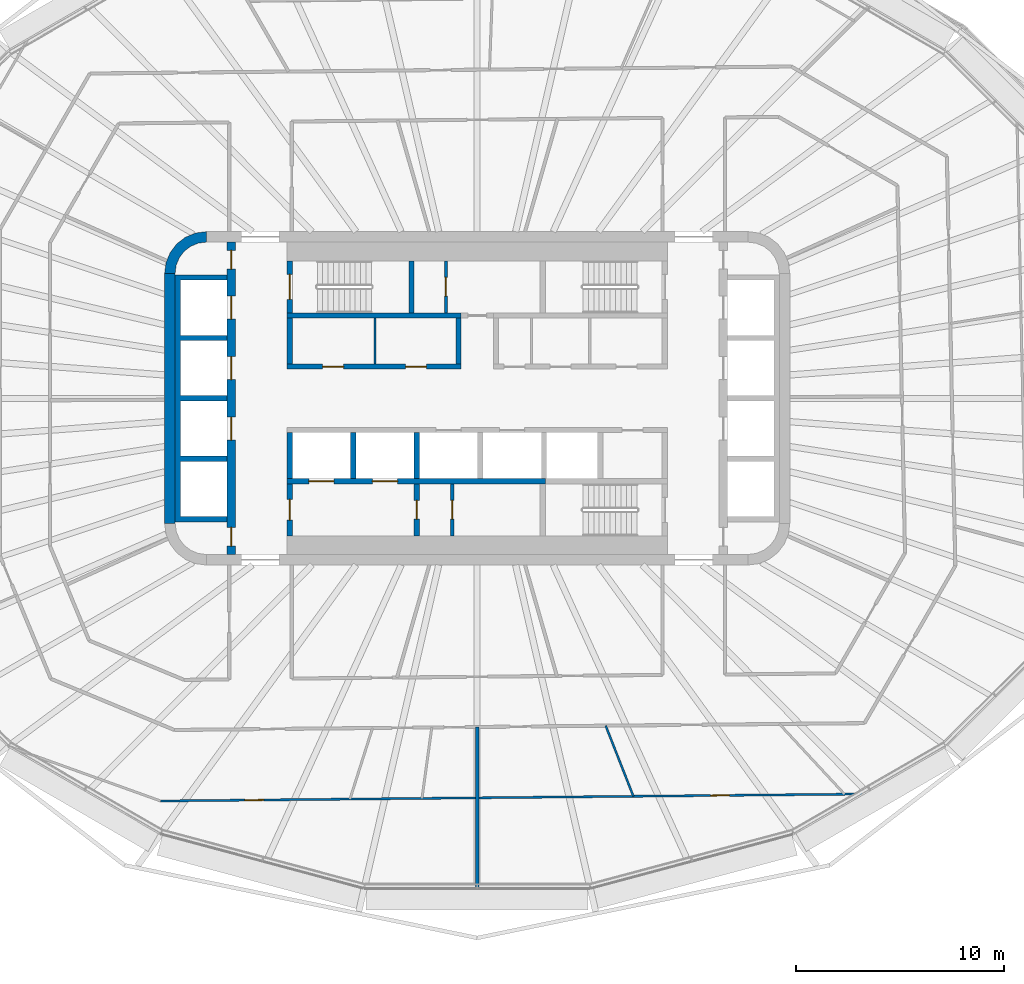
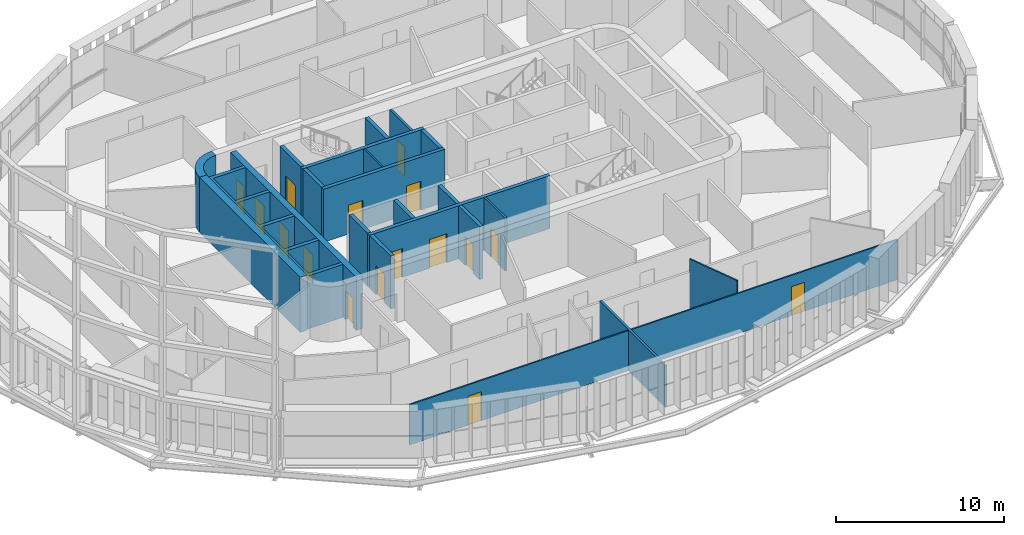
# One storey, part 12 of 24: 22 walls, 16 doors, 16 openings.
"""IFC4 building model written with IfcOpenShell, lengths in metres."""

from ifc_helpers import new_model, si_unit, direction, frame, frame_2d, origin, place, context, subcontext, project, spatial, polyline, rectangle, outline, extrude, material, layer, layer_set, type_object, element, fill, save


model = new_model("IFC4")

# Units and contexts
model_context = context("Model", 3, precision=1e-05, world=origin(), true_north=direction((0.0, 1.0)))
body_context = subcontext(model_context, "Body", "Model", "MODEL_VIEW")
ifc_project = project(units=[si_unit("LENGTHUNIT", "METRE"), si_unit("AREAUNIT", "SQUARE_METRE"), si_unit("VOLUMEUNIT", "CUBIC_METRE"), si_unit("PLANEANGLEUNIT", "RADIAN"), si_unit("MASSUNIT", "GRAM", prefix="KILO")], contexts=[model_context])

# Site, building, storey
site_placement = place(None, origin())
site = spatial("IfcSite", under=ifc_project, at=site_placement, CompositionType="ELEMENT")
building_placement = place(site_placement, origin())
building = spatial("IfcBuilding", under=site, at=building_placement, Name="Sahrelin Media Tower", CompositionType="ELEMENT")
storey_placement = place(building_placement, frame((0.0, 0.0, 153.60009765625)))
storey = spatial("IfcBuildingStorey", under=building, at=storey_placement, Name="L31", CompositionType="ELEMENT", Elevation=153.60009765625)

# Walls
ifc_material_1 = material(Name="Concrete C60/75", Category="concrete")
ifc_layer_1 = layer(ifc_material_1, 0.5)
ifc_layer_set_1 = layer_set([ifc_layer_1], Name="Core wall 500")
wall_type_1 = type_object("IfcWallType", Name="Core wall 500", PredefinedType="SHEAR", material=ifc_layer_set_1)
wall_1_placement = place(storey_placement, frame((-14.75, -6.0, 0.0), z_axis=(0.0, 0.0, 1.0), x_axis=(0.0, 1.0, 0.0)))
element("IfcWall", 1, at=wall_1_placement, inside=storey, type_object=wall_type_1, Name="Core wall W L31", PredefinedType="SHEAR", context=body_context, shape_type="SweptSolid", body=[
    extrude(rectangle(XDim=12.0, YDim=0.5, at=frame_2d((6.0, 0.0))), origin(), (0.0, 0.0, 1.0), 4.0),
])
placement = place(storey_placement, origin())
element("IfcWall", 2, at=placement, inside=storey, type_object=wall_type_1, Name="Core wall corner NW L31", PredefinedType="SHEAR", context=body_context, shape_type="SweptSolid", body=[
    extrude(outline(polyline([(-15.0, 6.0), (-14.49560546875, 6.0), (-14.44482421875, 6.38720703125), (-14.29541015625, 6.747802734375), (-14.0576171875, 7.0576171875), (-13.747802734375, 7.29541015625), (-13.38720703125, 7.44482421875), (-13.0, 7.49560546875), (-13.0, 8.0), (-13.517578125, 7.931884765625), (-14.0, 7.732177734375), (-14.414306640625, 7.414306640625), (-14.732177734375, 7.0), (-14.931884765625, 6.517578125), (-15.0, 6.0)])), origin(), (0.0, 0.0, 1.0), 4.0),
])

# Wall, openings, doors
ifc_material_2 = material(Name="Fire-rated gypsum board partition")
ifc_layer_2 = layer(ifc_material_2, 0.25)
ifc_layer_set_2 = layer_set([ifc_layer_2], Name="Fire-rated lobby wall 250")
wall_type_2 = type_object("IfcWallType", Name="Fire-rated lobby wall 250", PredefinedType="PARTITIONING", material=ifc_layer_set_2)
wall_3_placement = place(storey_placement, frame((-9.125, 1.52490234375, 0.0), z_axis=(0.0, 0.0, 1.0), x_axis=(1.0, 0.0, 0.0)))
wall_3 = element("IfcWall", 3, at=wall_3_placement, inside=storey, type_object=wall_type_2, Name="Core lobby wall", PredefinedType="PARTITIONING", context=body_context, shape_type="SweptSolid", body=[
    extrude(rectangle(XDim=8.35009765625, YDim=0.25, at=frame_2d((4.175048828125, 0.0))), origin(), (0.0, 0.0, 1.0), 3.849853515625),
])
opening_1_placement = place(wall_3_placement, frame((1.71240234375, 0.0, 0.0)))
opening_1 = element("IfcOpeningElement", 4, at=opening_1_placement, cuts=wall_3, Name="Opening L31-D09", PredefinedType="OPENING", context=body_context, shape_type="SweptSolid", body=[
    extrude(rectangle(XDim=1.0, YDim=2.10009765625, at=frame_2d((0.5, 1.050048828125))), frame((0.0, 0.125, 0.0), z_axis=(0.0, -1.0, 0.0), x_axis=(1.0, 0.0, 0.0)), (0.0, 0.0, 1.0), 0.25),
])
opening_2_placement = place(wall_3_placement, frame((5.6875, 0.0, 0.0)))
opening_2 = element("IfcOpeningElement", 5, at=opening_2_placement, cuts=wall_3, Name="Opening L31-D10", PredefinedType="OPENING", context=body_context, shape_type="SweptSolid", body=[
    extrude(rectangle(XDim=1.0, YDim=2.10009765625, at=frame_2d((0.5, 1.050048828125))), frame((0.0, 0.125, 0.0), z_axis=(0.0, -1.0, 0.0), x_axis=(1.0, 0.0, 0.0)), (0.0, 0.0, 1.0), 0.25),
])
ifc_material_3 = material(Name="Steel fire door leaf", Category="steel")
door_type_1 = type_object("IfcDoorType", Name="Fire door 1000 x 2100 EI 60", OperationType="NOTDEFINED", PredefinedType="DOOR", material=ifc_material_3)
door_1_placement = place(opening_1_placement, origin())
door_1 = element("IfcDoor", 6, at=door_1_placement, inside=storey, type_object=door_type_1, Name="Core room door", OperationType="SINGLE_SWING_LEFT", OverallHeight=2.10009765625, OverallWidth=1.0, PredefinedType="DOOR", context=body_context, shape_type="SweptSolid", body=[
    extrude(rectangle(XDim=1.0, YDim=2.10009765625, at=frame_2d((0.5, 1.050048828125))), frame((0.0, 0.02490234375, 0.0), z_axis=(0.0, -1.0, 0.0), x_axis=(1.0, 0.0, 0.0)), (0.0, 0.0, 1.0), 0.050048828125),
])
fill(opening_1, door_1)
door_2_placement = place(opening_2_placement, origin())
door_2 = element("IfcDoor", 7, at=door_2_placement, inside=storey, type_object=door_type_1, Name="Core room door", OperationType="SINGLE_SWING_LEFT", OverallHeight=2.10009765625, OverallWidth=1.0, PredefinedType="DOOR", context=body_context, shape_type="SweptSolid", body=[
    extrude(rectangle(XDim=1.0, YDim=2.10009765625, at=frame_2d((0.5, 1.050048828125))), frame((0.0, 0.02490234375, 0.0), z_axis=(0.0, -1.0, 0.0), x_axis=(1.0, 0.0, 0.0)), (0.0, 0.0, 1.0), 0.050048828125),
])
fill(opening_2, door_2)

# Walls
for number, where, z_axis, x_axis, name in (
    (8, (-9.0, 1.64990234375, 0.0), (0.0, 0.0, 1.0), (0.0, 1.0, 0.0), "Core lobby wall"),
    (9, (-0.89990234375, 1.64990234375, 0.0), (0.0, 0.0, 1.0), (0.0, 1.0, 0.0), "Core lobby wall"),
):
    element("IfcWall", number, at=place(storey_placement, frame(where, z_axis=z_axis, x_axis=x_axis)), inside=storey, type_object=wall_type_2, Name=name, PredefinedType="PARTITIONING", context=body_context, shape_type="SweptSolid", body=[
        extrude(rectangle(XDim=2.2001953125, YDim=0.25, at=frame_2d((1.10009765625, 0.0))), origin(), (0.0, 0.0, 1.0), 3.849853515625),
    ])
ifc_layer_3 = layer(ifc_material_2, 0.10009765625)
ifc_layer_set_3 = layer_set([ifc_layer_3], Name="Fire-rated partition 100")
wall_type_3 = type_object("IfcWallType", Name="Fire-rated partition 100", PredefinedType="PARTITIONING", material=ifc_layer_set_3)
wall_4_placement = place(storey_placement, frame((-4.89990234375, 1.64990234375, 0.0), z_axis=(0.0, 0.0, 1.0), x_axis=(0.0, 1.0, 0.0)))
element("IfcWall", 10, at=wall_4_placement, inside=storey, type_object=wall_type_3, Name="Core room partition", PredefinedType="PARTITIONING", context=body_context, shape_type="SweptSolid", body=[
    extrude(rectangle(XDim=2.2001953125, YDim=0.10009765625, at=frame_2d((1.10009765625, 0.0))), origin(), (0.0, 0.0, 1.0), 3.849853515625),
])

# Wall, opening, door
ifc_layer_4 = layer(ifc_material_2, 0.14990234375)
ifc_layer_set_4 = layer_set([ifc_layer_4], Name="Fire-rated partition 150")
wall_type_4 = type_object("IfcWallType", Name="Fire-rated partition 150", PredefinedType="PARTITIONING", material=ifc_layer_set_4)
wall_5_placement = place(storey_placement, frame((-1.5, 4.10009765625, 0.0), z_axis=(0.0, 0.0, 1.0), x_axis=(0.0, 1.0, 0.0)))
wall_5 = element("IfcWall", 11, at=wall_5_placement, inside=storey, type_object=wall_type_4, Name="Core room fire partition", PredefinedType="PARTITIONING", context=body_context, shape_type="SweptSolid", body=[
    extrude(rectangle(XDim=2.5, YDim=0.14990234375, at=frame_2d((1.25, 0.0))), origin(), (0.0, 0.0, 1.0), 3.849853515625),
])
opening_3_placement = place(wall_5_placement, frame((0.800048828125, 0.0, 0.0)))
opening_3 = element("IfcOpeningElement", 12, at=opening_3_placement, cuts=wall_5, Name="Opening L31-D07", PredefinedType="OPENING", context=body_context, shape_type="SweptSolid", body=[
    extrude(rectangle(XDim=0.89990234375, YDim=2.10009765625, at=frame_2d((0.449951171875, 1.050048828125))), frame((0.0, 0.074951171875, 0.0), z_axis=(0.0, -1.0, 0.0), x_axis=(1.0, 0.0, 0.0)), (0.0, 0.0, 1.0), 0.14990234375),
])
door_type_2 = type_object("IfcDoorType", Name="Fire door 900 x 2100 EI 60", OperationType="NOTDEFINED", PredefinedType="DOOR", material=ifc_material_3)
door_3_placement = place(opening_3_placement, origin())
door_3 = element("IfcDoor", 13, at=door_3_placement, inside=storey, type_object=door_type_2, Name="Core room door", OperationType="SINGLE_SWING_LEFT", OverallHeight=2.10009765625, OverallWidth=0.89990234375, PredefinedType="DOOR", context=body_context, shape_type="SweptSolid", body=[
    extrude(rectangle(XDim=0.89990234375, YDim=2.10009765625, at=frame_2d((0.449951171875, 1.050048828125))), frame((0.0, 0.02490234375, 0.0), z_axis=(0.0, -1.0, 0.0), x_axis=(1.0, 0.0, 0.0)), (0.0, 0.0, 1.0), 0.050048828125),
])
fill(opening_3, door_3)

wall_6_placement = place(storey_placement, frame((-1.199951171875, -6.60009765625, 0.0), z_axis=(0.0, 0.0, 1.0), x_axis=(0.0, 1.0, 0.0)))
wall_6 = element("IfcWall", 14, at=wall_6_placement, inside=storey, type_object=wall_type_4, Name="Core room fire partition", PredefinedType="PARTITIONING", context=body_context, shape_type="SweptSolid", body=[
    extrude(rectangle(XDim=2.5, YDim=0.14990234375, at=frame_2d((1.25, 0.0))), origin(), (0.0, 0.0, 1.0), 3.849853515625),
])
opening_4_placement = place(wall_6_placement, frame((0.800048828125, 0.0, 0.0)))
opening_4 = element("IfcOpeningElement", 15, at=opening_4_placement, cuts=wall_6, Name="Opening L31-D08", PredefinedType="OPENING", context=body_context, shape_type="SweptSolid", body=[
    extrude(rectangle(XDim=0.89990234375, YDim=2.10009765625, at=frame_2d((0.449951171875, 1.050048828125))), frame((0.0, 0.074951171875, 0.0), z_axis=(0.0, -1.0, 0.0), x_axis=(1.0, 0.0, 0.0)), (0.0, 0.0, 1.0), 0.14990234375),
])
door_4_placement = place(opening_4_placement, origin())
door_4 = element("IfcDoor", 16, at=door_4_placement, inside=storey, type_object=door_type_2, Name="Core room door", OperationType="SINGLE_SWING_RIGHT", OverallHeight=2.10009765625, OverallWidth=0.89990234375, PredefinedType="DOOR", context=body_context, shape_type="SweptSolid", body=[
    extrude(rectangle(XDim=0.89990234375, YDim=2.10009765625, at=frame_2d((0.449951171875, 1.050048828125))), frame((0.0, 0.02490234375, 0.0), z_axis=(0.0, -1.0, 0.0), x_axis=(1.0, 0.0, 0.0)), (0.0, 0.0, 1.0), 0.050048828125),
])
fill(opening_4, door_4)

# Wall
wall_7_placement = place(storey_placement, frame((0.0, -23.531982421875, 0.0), z_axis=(0.0, 0.0, 1.0), x_axis=(0.0, 1.0, 0.0)))
element("IfcWall", 17, at=wall_7_placement, inside=storey, type_object=wall_type_4, Name="Wall", PredefinedType="PARTITIONING", context=body_context, shape_type="SweptSolid", body=[
    extrude(rectangle(XDim=7.760009765625, YDim=0.14990234375, at=frame_2d((3.8798828125, 0.0))), origin(), (0.0, 0.0, 1.0), 2.994873046875),
])

# Wall, opening, door
ifc_layer_5 = layer(ifc_material_2, 0.25)
ifc_layer_set_5 = layer_set([ifc_layer_5], Name="Firefighting lobby wall 250")
wall_type_5 = type_object("IfcWallType", Name="Firefighting lobby wall 250", PredefinedType="PARTITIONING", material=ifc_layer_set_5)
wall_8_placement = place(storey_placement, frame((-9.0, -6.60009765625, 0.0), z_axis=(0.0, 0.0, 1.0), x_axis=(0.0, 1.0, 0.0)))
wall_8 = element("IfcWall", 18, at=wall_8_placement, inside=storey, type_object=wall_type_5, Name="Core wall", PredefinedType="PARTITIONING", context=body_context, shape_type="SweptSolid", body=[
    extrude(rectangle(XDim=2.5, YDim=0.25, at=frame_2d((1.25, 0.0))), origin(), (0.0, 0.0, 1.0), 3.849853515625),
])
opening_5_placement = place(wall_8_placement, frame((0.75, 0.0, 0.0)))
opening_5 = element("IfcOpeningElement", 19, at=opening_5_placement, cuts=wall_8, Name="Opening L31-D04", PredefinedType="OPENING", context=body_context, shape_type="SweptSolid", body=[
    extrude(rectangle(XDim=1.0, YDim=2.10009765625, at=frame_2d((0.5, 1.050048828125))), frame((0.0, 0.125, 0.0), z_axis=(0.0, -1.0, 0.0), x_axis=(1.0, 0.0, 0.0)), (0.0, 0.0, 1.0), 0.25),
])
door_type_3 = type_object("IfcDoorType", Name="Firefighting lobby door 1000 x 2100 EI 120", OperationType="NOTDEFINED", PredefinedType="DOOR", material=ifc_material_3)
door_5_placement = place(opening_5_placement, origin())
door_5 = element("IfcDoor", 20, at=door_5_placement, inside=storey, type_object=door_type_3, Name="Firefighting lobby door", OperationType="SINGLE_SWING_LEFT", OverallHeight=2.10009765625, OverallWidth=1.0, PredefinedType="DOOR", context=body_context, shape_type="SweptSolid", body=[
    extrude(rectangle(XDim=1.0, YDim=2.10009765625, at=frame_2d((0.5, 1.050048828125))), frame((0.0, 0.02490234375, 0.0), z_axis=(0.0, -1.0, 0.0), x_axis=(1.0, 0.0, 0.0)), (0.0, 0.0, 1.0), 0.050048828125),
])
fill(opening_5, door_5)

wall_9_placement = place(storey_placement, frame((-2.89990234375, -6.60009765625, 0.0), z_axis=(0.0, 0.0, 1.0), x_axis=(0.0, 1.0, 0.0)))
wall_9 = element("IfcWall", 21, at=wall_9_placement, inside=storey, type_object=wall_type_5, Name="Core wall", PredefinedType="PARTITIONING", context=body_context, shape_type="SweptSolid", body=[
    extrude(rectangle(XDim=2.5, YDim=0.25, at=frame_2d((1.25, 0.0))), origin(), (0.0, 0.0, 1.0), 3.849853515625),
])
opening_6_placement = place(wall_9_placement, frame((0.800048828125, 0.0, 0.0)))
opening_6 = element("IfcOpeningElement", 22, at=opening_6_placement, cuts=wall_9, Name="Opening L31-D05", PredefinedType="OPENING", context=body_context, shape_type="SweptSolid", body=[
    extrude(rectangle(XDim=0.89990234375, YDim=2.10009765625, at=frame_2d((0.449951171875, 1.050048828125))), frame((0.0, 0.125, 0.0), z_axis=(0.0, -1.0, 0.0), x_axis=(1.0, 0.0, 0.0)), (0.0, 0.0, 1.0), 0.25),
])
door_type_4 = type_object("IfcDoorType", Name="Firefighting lobby door 900 x 2100 EI 120", OperationType="NOTDEFINED", PredefinedType="DOOR", material=ifc_material_3)
door_6_placement = place(opening_6_placement, origin())
door_6 = element("IfcDoor", 23, at=door_6_placement, inside=storey, type_object=door_type_4, Name="Riser door", OperationType="SINGLE_SWING_RIGHT", OverallHeight=2.10009765625, OverallWidth=0.89990234375, PredefinedType="DOOR", context=body_context, shape_type="SweptSolid", body=[
    extrude(rectangle(XDim=0.89990234375, YDim=2.10009765625, at=frame_2d((0.449951171875, 1.050048828125))), frame((0.0, 0.02490234375, 0.0), z_axis=(0.0, -1.0, 0.0), x_axis=(1.0, 0.0, 0.0)), (0.0, 0.0, 1.0), 0.050048828125),
])
fill(opening_6, door_6)

# Wall, openings, doors
ifc_layer_6 = layer(ifc_material_1, 0.25)
ifc_layer_set_6 = layer_set([ifc_layer_6], Name="Lift shaft wall 250")
wall_type_6 = type_object("IfcWallType", Name="Lift shaft wall 250", PredefinedType="SOLIDWALL", material=ifc_layer_set_6)
wall_10_placement = place(storey_placement, frame((-9.125, -3.97509765625, 0.0), z_axis=(0.0, 0.0, 1.0), x_axis=(1.0, 0.0, 0.0)))
wall_10 = element("IfcWall", 24, at=wall_10_placement, inside=storey, type_object=wall_type_6, Name="Lift shaft wall", PredefinedType="SOLIDWALL", context=body_context, shape_type="SweptSolid", body=[
    extrude(rectangle(XDim=12.39990234375, YDim=0.25, at=frame_2d((6.199951171875, 0.0))), origin(), (0.0, 0.0, 1.0), 3.849853515625),
])
opening_7_placement = place(wall_10_placement, frame((1.050048828125, 0.0, 0.0)))
opening_7 = element("IfcOpeningElement", 25, at=opening_7_placement, cuts=wall_10, Name="Opening L31-LD-FF1", PredefinedType="OPENING", context=body_context, shape_type="SweptSolid", body=[
    extrude(rectangle(XDim=1.199951171875, YDim=2.10009765625, at=frame_2d((0.60009765625, 1.050048828125))), frame((0.0, 0.125, 0.0), z_axis=(0.0, -1.0, 0.0), x_axis=(1.0, 0.0, 0.0)), (0.0, 0.0, 1.0), 0.25),
])
opening_8_placement = place(wall_10_placement, frame((4.10009765625, 0.0, 0.0)))
opening_8 = element("IfcOpeningElement", 26, at=opening_8_placement, cuts=wall_10, Name="Opening L31-LD-FF2", PredefinedType="OPENING", context=body_context, shape_type="SweptSolid", body=[
    extrude(rectangle(XDim=1.199951171875, YDim=2.10009765625, at=frame_2d((0.60009765625, 1.050048828125))), frame((0.0, 0.125, 0.0), z_axis=(0.0, -1.0, 0.0), x_axis=(1.0, 0.0, 0.0)), (0.0, 0.0, 1.0), 0.25),
])
ifc_material_4 = material(Name="Stainless steel", Category="steel")
door_type_5 = type_object("IfcDoorType", Name="Lift landing door 1200 x 2100 EI 120", OperationType="DOUBLE_DOOR_SLIDING", PredefinedType="DOOR", material=ifc_material_4)
door_7_placement = place(opening_7_placement, origin())
door_7 = element("IfcDoor", 27, at=door_7_placement, inside=storey, type_object=door_type_5, Name="Lift landing door FF1", OperationType="DOUBLE_DOOR_SLIDING", OverallHeight=2.10009765625, OverallWidth=1.199951171875, PredefinedType="DOOR", context=body_context, shape_type="SweptSolid", body=[
    extrude(rectangle(XDim=1.199951171875, YDim=2.10009765625, at=frame_2d((0.60009765625, 1.050048828125))), frame((0.0, 0.02490234375, 0.0), z_axis=(0.0, -1.0, 0.0), x_axis=(1.0, 0.0, 0.0)), (0.0, 0.0, 1.0), 0.050048828125),
])
fill(opening_7, door_7)
door_8_placement = place(opening_8_placement, origin())
door_8 = element("IfcDoor", 28, at=door_8_placement, inside=storey, type_object=door_type_5, Name="Lift landing door FF2", OperationType="DOUBLE_DOOR_SLIDING", OverallHeight=2.10009765625, OverallWidth=1.199951171875, PredefinedType="DOOR", context=body_context, shape_type="SweptSolid", body=[
    extrude(rectangle(XDim=1.199951171875, YDim=2.10009765625, at=frame_2d((0.60009765625, 1.050048828125))), frame((0.0, 0.02490234375, 0.0), z_axis=(0.0, -1.0, 0.0), x_axis=(1.0, 0.0, 0.0)), (0.0, 0.0, 1.0), 0.050048828125),
])
fill(opening_8, door_8)

# Walls
for number, where, z_axis, x_axis, name in (
    (29, (-9.0, -3.85009765625, 0.0), (0.0, 0.0, 1.0), (0.0, 1.0, 0.0), "Lift shaft wall"),
    (30, (-5.949951171875, -3.85009765625, 0.0), (0.0, 0.0, 1.0), (0.0, 1.0, 0.0), "Lift shaft wall"),
    (31, (-2.89990234375, -3.85009765625, 0.0), (0.0, 0.0, 1.0), (0.0, 1.0, 0.0), "Lift shaft wall"),
):
    element("IfcWall", number, at=place(storey_placement, frame(where, z_axis=z_axis, x_axis=x_axis)), inside=storey, type_object=wall_type_6, Name=name, PredefinedType="SOLIDWALL", context=body_context, shape_type="SweptSolid", body=[
        extrude(rectangle(XDim=2.2001953125, YDim=0.25, at=frame_2d((1.10009765625, 0.0))), origin(), (0.0, 0.0, 1.0), 3.849853515625),
    ])
element("IfcWall", 32, at=placement, inside=storey, type_object=wall_type_6, Name="Lift shaft wall", PredefinedType="SOLIDWALL", context=body_context, shape_type="SweptSolid", body=[
    extrude(outline(polyline([(-12.0, -5.925048828125), (-12.0, -5.675048828125), (-14.25, -5.675048828125), (-14.25, -3.02490234375), (-12.0, -3.02490234375), (-12.0, -2.77490234375), (-14.25, -2.77490234375), (-14.25, -0.125), (-12.0, -0.125), (-12.0, 0.125), (-14.25, 0.125), (-14.25, 2.77490234375), (-12.0, 2.77490234375), (-12.0, 3.02490234375), (-14.25, 3.02490234375), (-14.25, 5.675048828125), (-12.0, 5.675048828125), (-12.0, 5.925048828125), (-14.25, 5.925048828125), (-14.5, 5.925048828125), (-14.5, 5.675048828125), (-14.5, 3.02490234375), (-14.5, 2.77490234375), (-14.5, 0.125), (-14.5, -0.125), (-14.5, -2.77490234375), (-14.5, -3.02490234375), (-14.5, -5.675048828125), (-14.5, -5.925048828125), (-14.25, -5.925048828125), (-12.0, -5.925048828125)])), origin(), (0.0, 0.0, 1.0), 3.849853515625),
])

# Wall, openings, doors
ifc_layer_7 = layer(ifc_material_1, 0.39990234375)
ifc_layer_set_7 = layer_set([ifc_layer_7], Name="Lift shaft wall 400")
wall_type_7 = type_object("IfcWallType", Name="Lift shaft wall 400", PredefinedType="SOLIDWALL", material=ifc_layer_set_7)
wall_12_placement = place(storey_placement, frame((-11.800048828125, -7.5, 0.0), z_axis=(0.0, 0.0, 1.0), x_axis=(0.0, 1.0, 0.0)))
wall_12 = element("IfcWall", 33, at=wall_12_placement, inside=storey, type_object=wall_type_7, Name="Lift shaft wall", PredefinedType="SOLIDWALL", context=body_context, shape_type="SweptSolid", body=[
    extrude(rectangle(XDim=15.0, YDim=0.39990234375, at=frame_2d((7.5, 0.0))), origin(), (0.0, 0.0, 1.0), 3.849853515625),
])
opening_9_placement = place(wall_12_placement, frame((11.300048828125, 0.0, 0.0)))
opening_9 = element("IfcOpeningElement", 34, at=opening_9_placement, cuts=wall_12, Name="Opening L31-LD-LR1", PredefinedType="OPENING", context=body_context, shape_type="SweptSolid", body=[
    extrude(rectangle(XDim=1.10009765625, YDim=2.10009765625, at=frame_2d((0.550048828125, 1.050048828125))), frame((0.0, 0.199951171875, 0.0), z_axis=(0.0, -1.0, 0.0), x_axis=(1.0, 0.0, 0.0)), (0.0, 0.0, 1.0), 0.39990234375),
])
opening_10_placement = place(wall_12_placement, frame((8.39990234375, 0.0, 0.0)))
opening_10 = element("IfcOpeningElement", 35, at=opening_10_placement, cuts=wall_12, Name="Opening L31-LD-LR2", PredefinedType="OPENING", context=body_context, shape_type="SweptSolid", body=[
    extrude(rectangle(XDim=1.10009765625, YDim=2.10009765625, at=frame_2d((0.550048828125, 1.050048828125))), frame((0.0, 0.199951171875, 0.0), z_axis=(0.0, -1.0, 0.0), x_axis=(1.0, 0.0, 0.0)), (0.0, 0.0, 1.0), 0.39990234375),
])
opening_11_placement = place(wall_12_placement, frame((5.5, 0.0, 0.0)))
opening_11 = element("IfcOpeningElement", 36, at=opening_11_placement, cuts=wall_12, Name="Opening L31-LD-LR3", PredefinedType="OPENING", context=body_context, shape_type="SweptSolid", body=[
    extrude(rectangle(XDim=1.10009765625, YDim=2.10009765625, at=frame_2d((0.550048828125, 1.050048828125))), frame((0.0, 0.199951171875, 0.0), z_axis=(0.0, -1.0, 0.0), x_axis=(1.0, 0.0, 0.0)), (0.0, 0.0, 1.0), 0.39990234375),
])
opening_12_placement = place(wall_12_placement, frame((13.696533203125, 0.0, 0.0)))
opening_12 = element("IfcOpeningElement", 37, at=opening_12_placement, cuts=wall_12, Name="Opening L31-D15", PredefinedType="OPENING", context=body_context, shape_type="SweptSolid", body=[
    extrude(rectangle(XDim=0.89990234375, YDim=2.10009765625, at=frame_2d((0.449951171875, 1.050048828125))), frame((0.0, 0.199951171875, 0.0), z_axis=(0.0, -1.0, 0.0), x_axis=(1.0, 0.0, 0.0)), (0.0, 0.0, 1.0), 0.39990234375),
])
opening_13_placement = place(wall_12_placement, frame((0.4033203125, 0.0, 0.0)))
opening_13 = element("IfcOpeningElement", 38, at=opening_13_placement, cuts=wall_12, Name="Opening L31-D16", PredefinedType="OPENING", context=body_context, shape_type="SweptSolid", body=[
    extrude(rectangle(XDim=0.89990234375, YDim=2.10009765625, at=frame_2d((0.449951171875, 1.050048828125))), frame((0.0, 0.199951171875, 0.0), z_axis=(0.0, -1.0, 0.0), x_axis=(1.0, 0.0, 0.0)), (0.0, 0.0, 1.0), 0.39990234375),
])
door_type_6 = type_object("IfcDoorType", Name="Lift landing door 1100 x 2100 EI 120", OperationType="DOUBLE_DOOR_SLIDING", PredefinedType="DOOR", material=ifc_material_4)
door_9_placement = place(opening_9_placement, origin())
door_9 = element("IfcDoor", 39, at=door_9_placement, inside=storey, type_object=door_type_6, Name="Lift landing door LR1", OperationType="DOUBLE_DOOR_SLIDING", OverallHeight=2.10009765625, OverallWidth=1.10009765625, PredefinedType="DOOR", context=body_context, shape_type="SweptSolid", body=[
    extrude(rectangle(XDim=1.10009765625, YDim=2.10009765625, at=frame_2d((0.550048828125, 1.050048828125))), frame((0.0, 0.02490234375, 0.0), z_axis=(0.0, -1.0, 0.0), x_axis=(1.0, 0.0, 0.0)), (0.0, 0.0, 1.0), 0.050048828125),
])
fill(opening_9, door_9)
door_10_placement = place(opening_10_placement, origin())
door_10 = element("IfcDoor", 40, at=door_10_placement, inside=storey, type_object=door_type_6, Name="Lift landing door LR2", OperationType="DOUBLE_DOOR_SLIDING", OverallHeight=2.10009765625, OverallWidth=1.10009765625, PredefinedType="DOOR", context=body_context, shape_type="SweptSolid", body=[
    extrude(rectangle(XDim=1.10009765625, YDim=2.10009765625, at=frame_2d((0.550048828125, 1.050048828125))), frame((0.0, 0.02490234375, 0.0), z_axis=(0.0, -1.0, 0.0), x_axis=(1.0, 0.0, 0.0)), (0.0, 0.0, 1.0), 0.050048828125),
])
fill(opening_10, door_10)
door_11_placement = place(opening_11_placement, origin())
door_11 = element("IfcDoor", 41, at=door_11_placement, inside=storey, type_object=door_type_6, Name="Lift landing door LR3", OperationType="DOUBLE_DOOR_SLIDING", OverallHeight=2.10009765625, OverallWidth=1.10009765625, PredefinedType="DOOR", context=body_context, shape_type="SweptSolid", body=[
    extrude(rectangle(XDim=1.10009765625, YDim=2.10009765625, at=frame_2d((0.550048828125, 1.050048828125))), frame((0.0, 0.02490234375, 0.0), z_axis=(0.0, -1.0, 0.0), x_axis=(1.0, 0.0, 0.0)), (0.0, 0.0, 1.0), 0.050048828125),
])
fill(opening_11, door_11)
door_type_7 = type_object("IfcDoorType", Name="Riser door 900 x 2100 EI 120", OperationType="NOTDEFINED", PredefinedType="DOOR", material=ifc_material_3)
door_12_placement = place(opening_12_placement, origin())
door_12 = element("IfcDoor", 42, at=door_12_placement, inside=storey, type_object=door_type_7, Name="Riser door", OperationType="SINGLE_SWING_LEFT", OverallHeight=2.10009765625, OverallWidth=0.89990234375, PredefinedType="DOOR", context=body_context, shape_type="SweptSolid", body=[
    extrude(rectangle(XDim=0.89990234375, YDim=2.10009765625, at=frame_2d((0.449951171875, 1.050048828125))), frame((0.0, 0.02490234375, 0.0), z_axis=(0.0, -1.0, 0.0), x_axis=(1.0, 0.0, 0.0)), (0.0, 0.0, 1.0), 0.050048828125),
])
fill(opening_12, door_12)
door_13_placement = place(opening_13_placement, origin())
door_13 = element("IfcDoor", 43, at=door_13_placement, inside=storey, type_object=door_type_7, Name="Riser door", OperationType="SINGLE_SWING_LEFT", OverallHeight=2.10009765625, OverallWidth=0.89990234375, PredefinedType="DOOR", context=body_context, shape_type="SweptSolid", body=[
    extrude(rectangle(XDim=0.89990234375, YDim=2.10009765625, at=frame_2d((0.449951171875, 1.050048828125))), frame((0.0, 0.02490234375, 0.0), z_axis=(0.0, -1.0, 0.0), x_axis=(1.0, 0.0, 0.0)), (0.0, 0.0, 1.0), 0.050048828125),
])
fill(opening_13, door_13)

# Wall
ifc_material_5 = material(Name="Gypsum board partition")
ifc_layer_8 = layer(ifc_material_5, 0.10009765625)
ifc_layer_set_8 = layer_set([ifc_layer_8], Name="Partition 100")
wall_type_8 = type_object("IfcWallType", Name="Partition 100", PredefinedType="PARTITIONING", material=ifc_layer_set_8)
wall_13_placement = place(storey_placement, frame((6.166015625, -15.7109375, 0.0), z_axis=(0.0, 0.0, 1.0), x_axis=(0.365297341245, -0.930890891823, 0.0)))
element("IfcWall", 44, at=wall_13_placement, inside=storey, type_object=wall_type_8, Name="Wall", PredefinedType="PARTITIONING", context=body_context, shape_type="SweptSolid", body=[
    extrude(rectangle(XDim=3.638427734375, YDim=0.10009765625, at=frame_2d((1.8193359375, 0.0))), origin(), (0.0, 0.0, 1.0), 3.849853515625),
])

# Wall, openings, doors
wall_14_placement = place(storey_placement, frame((-15.194091796875, -19.322998046875, 0.0), z_axis=(0.0, 0.0, 1.0), x_axis=(0.999950976029, 0.009901794681, 0.0)))
wall_14 = element("IfcWall", 45, at=wall_14_placement, inside=storey, type_object=wall_type_8, Name="Wall", PredefinedType="PARTITIONING", context=body_context, shape_type="SweptSolid", body=[
    extrude(rectangle(XDim=33.729736328125, YDim=0.10009765625, at=frame_2d((16.86474609375, 0.0))), origin(), (0.0, 0.0, 1.0), 2.927001953125),
])
opening_14_placement = place(wall_14_placement, frame((4.04345703125, 0.0, 0.0)))
opening_14 = element("IfcOpeningElement", 46, at=opening_14_placement, cuts=wall_14, Name="Opening L31-D48", PredefinedType="OPENING", context=body_context, shape_type="SweptSolid", body=[
    extrude(rectangle(XDim=0.89990234375, YDim=2.10009765625, at=frame_2d((0.449951171875, 1.050048828125))), frame((0.0, 0.050048828125, 0.0), z_axis=(0.0, -1.0, 0.0), x_axis=(1.0, 0.0, 0.0)), (0.0, 0.0, 1.0), 0.10009765625),
])
opening_15_placement = place(wall_14_placement, frame((26.397705078125, 0.0, 0.0)))
opening_15 = element("IfcOpeningElement", 47, at=opening_15_placement, cuts=wall_14, Name="Opening L31-D52", PredefinedType="OPENING", context=body_context, shape_type="SweptSolid", body=[
    extrude(rectangle(XDim=0.89990234375, YDim=2.10009765625, at=frame_2d((0.449951171875, 1.050048828125))), frame((0.0, 0.050048828125, 0.0), z_axis=(0.0, -1.0, 0.0), x_axis=(1.0, 0.0, 0.0)), (0.0, 0.0, 1.0), 0.10009765625),
])
ifc_material_6 = material(Name="Timber door leaf", Category="wood")
door_type_8 = type_object("IfcDoorType", Name="Single door 900 x 2100", OperationType="NOTDEFINED", PredefinedType="DOOR", material=ifc_material_6)
door_14_placement = place(opening_14_placement, origin())
door_14 = element("IfcDoor", 48, at=door_14_placement, inside=storey, type_object=door_type_8, Name="Single door", OperationType="SINGLE_SWING_LEFT", OverallHeight=2.10009765625, OverallWidth=0.89990234375, PredefinedType="DOOR", context=body_context, shape_type="SweptSolid", body=[
    extrude(rectangle(XDim=0.89990234375, YDim=2.10009765625, at=frame_2d((0.449951171875, 1.050048828125))), frame((0.0, 0.02490234375, 0.0), z_axis=(0.0, -1.0, 0.0), x_axis=(1.0, 0.0, 0.0)), (0.0, 0.0, 1.0), 0.050048828125),
])
fill(opening_14, door_14)
door_15_placement = place(opening_15_placement, origin())
door_15 = element("IfcDoor", 49, at=door_15_placement, inside=storey, type_object=door_type_8, Name="Single door", OperationType="SINGLE_SWING_RIGHT", OverallHeight=2.10009765625, OverallWidth=0.89990234375, PredefinedType="DOOR", context=body_context, shape_type="SweptSolid", body=[
    extrude(rectangle(XDim=0.89990234375, YDim=2.10009765625, at=frame_2d((0.449951171875, 1.050048828125))), frame((0.0, 0.02490234375, 0.0), z_axis=(0.0, -1.0, 0.0), x_axis=(1.0, 0.0, 0.0)), (0.0, 0.0, 1.0), 0.050048828125),
])
fill(opening_15, door_15)

# Wall, opening, door
ifc_layer_9 = layer(ifc_material_1, 0.25)
ifc_layer_set_9 = layer_set([ifc_layer_9], Name="Stair enclosure wall 250")
wall_type_9 = type_object("IfcWallType", Name="Stair enclosure wall 250", PredefinedType="SOLIDWALL", material=ifc_layer_set_9)
wall_15_placement = place(storey_placement, frame((-9.0, 4.10009765625, 0.0), z_axis=(0.0, 0.0, 1.0), x_axis=(0.0, 1.0, 0.0)))
wall_15 = element("IfcWall", 50, at=wall_15_placement, inside=storey, type_object=wall_type_9, Name="Stair enclosure wall", PredefinedType="SOLIDWALL", context=body_context, shape_type="SweptSolid", body=[
    extrude(rectangle(XDim=2.5, YDim=0.25, at=frame_2d((1.25, 0.0))), origin(), (0.0, 0.0, 1.0), 3.849853515625),
])
opening_16_placement = place(wall_15_placement, frame((0.64990234375, 0.0, 0.0)))
opening_16 = element("IfcOpeningElement", 51, at=opening_16_placement, cuts=wall_15, Name="Opening L31-D01", PredefinedType="OPENING", context=body_context, shape_type="SweptSolid", body=[
    extrude(rectangle(XDim=1.199951171875, YDim=2.10009765625, at=frame_2d((0.60009765625, 1.050048828125))), frame((0.0, 0.125, 0.0), z_axis=(0.0, -1.0, 0.0), x_axis=(1.0, 0.0, 0.0)), (0.0, 0.0, 1.0), 0.25),
])
door_type_9 = type_object("IfcDoorType", Name="Stair door 1200 x 2100 EI 120", OperationType="NOTDEFINED", PredefinedType="DOOR", material=ifc_material_3)
door_16_placement = place(opening_16_placement, origin())
door_16 = element("IfcDoor", 52, at=door_16_placement, inside=storey, type_object=door_type_9, Name="Stair door ST1", OperationType="SINGLE_SWING_RIGHT", OverallHeight=2.10009765625, OverallWidth=1.199951171875, PredefinedType="DOOR", context=body_context, shape_type="SweptSolid", body=[
    extrude(rectangle(XDim=1.199951171875, YDim=2.10009765625, at=frame_2d((0.60009765625, 1.050048828125))), frame((0.0, 0.02490234375, 0.0), z_axis=(0.0, -1.0, 0.0), x_axis=(1.0, 0.0, 0.0)), (0.0, 0.0, 1.0), 0.050048828125),
])
fill(opening_16, door_16)

# Walls
wall_16_placement = place(storey_placement, frame((-3.14990234375, 4.10009765625, 0.0), z_axis=(0.0, 0.0, 1.0), x_axis=(0.0, 1.0, 0.0)))
element("IfcWall", 53, at=wall_16_placement, inside=storey, type_object=wall_type_9, Name="Stair enclosure wall", PredefinedType="SOLIDWALL", context=body_context, shape_type="SweptSolid", body=[
    extrude(rectangle(XDim=2.5, YDim=0.25, at=frame_2d((1.25, 0.0))), origin(), (0.0, 0.0, 1.0), 3.849853515625),
])
wall_17_placement = place(storey_placement, frame((-9.125, 3.97509765625, 0.0), z_axis=(0.0, 0.0, 1.0), x_axis=(1.0, 0.0, 0.0)))
element("IfcWall", 54, at=wall_17_placement, inside=storey, type_object=wall_type_9, Name="Stair enclosure wall", PredefinedType="SOLIDWALL", context=body_context, shape_type="SweptSolid", body=[
    extrude(rectangle(XDim=8.35009765625, YDim=0.25, at=frame_2d((4.175048828125, 0.0))), origin(), (0.0, 0.0, 1.0), 3.849853515625),
])

save(model, "model.ifc")
